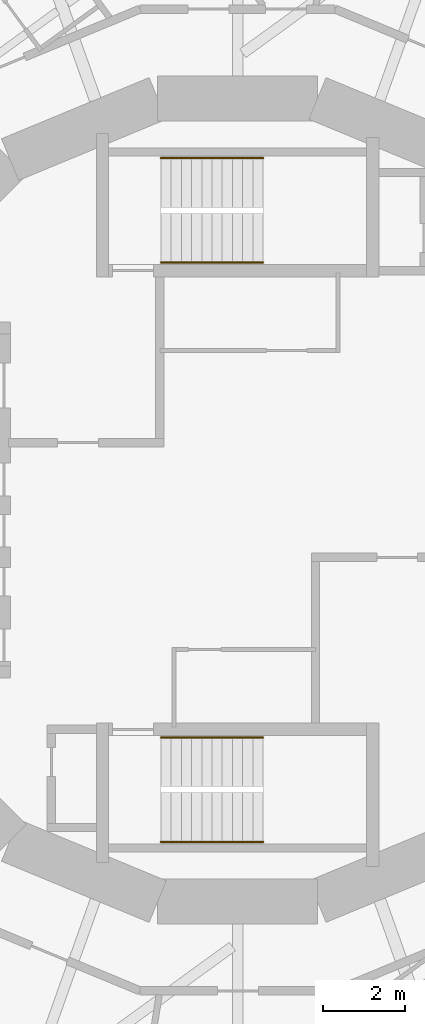
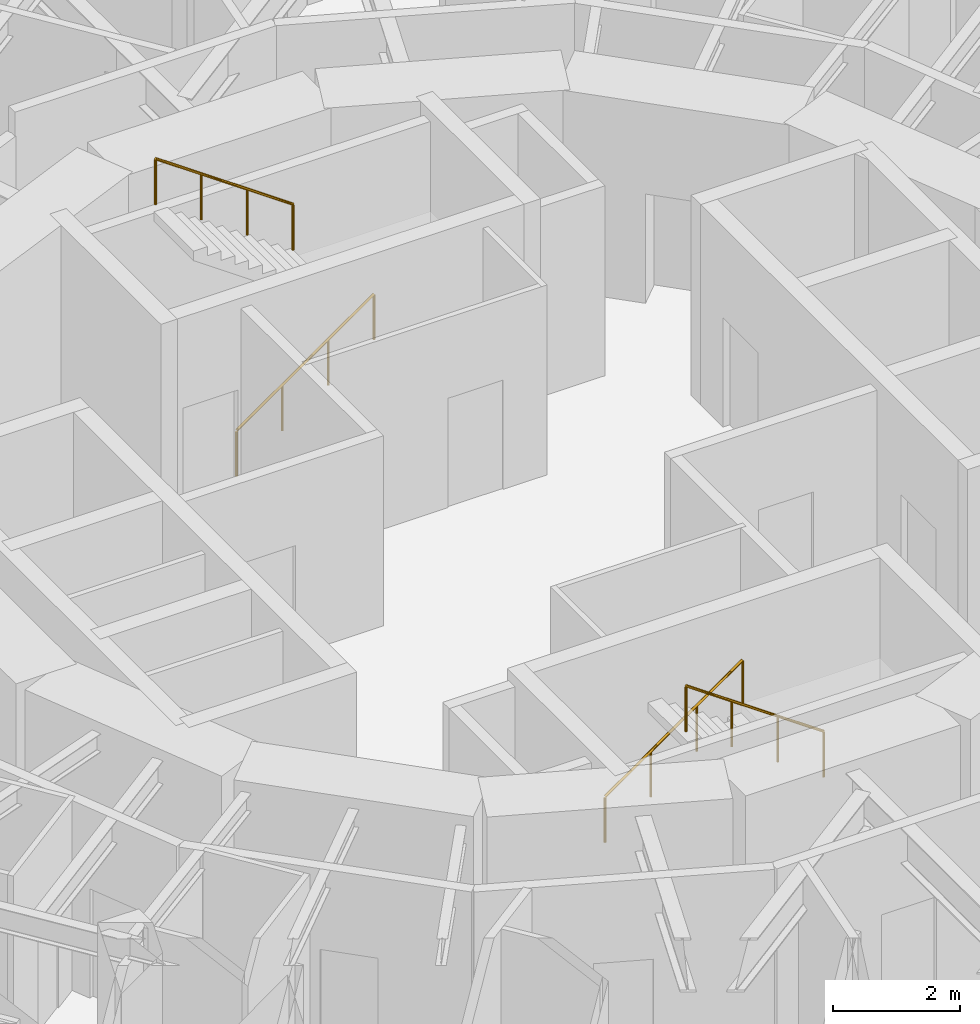
# One storey, part 9 of 9: 4 railings.
"""IFC4 building model written with IfcOpenShell, lengths in metres."""

from ifc_helpers import new_model, si_unit, direction, frame, origin, origin_2d, place, context, subcontext, project, spatial, circle, extrude, material, type_object, element, save


model = new_model("IFC4")

# Units and contexts
model_context = context("Model", 3, precision=1e-05, world=origin(), true_north=direction((0.0, 1.0)))
body_context = subcontext(model_context, "Body", "Model", "MODEL_VIEW")
ifc_project = project(units=[si_unit("LENGTHUNIT", "METRE"), si_unit("AREAUNIT", "SQUARE_METRE"), si_unit("VOLUMEUNIT", "CUBIC_METRE"), si_unit("PLANEANGLEUNIT", "RADIAN"), si_unit("MASSUNIT", "GRAM", prefix="KILO")], contexts=[model_context])

# Site, building, storey
site_placement = place(None, origin())
site = spatial("IfcSite", under=ifc_project, at=site_placement, CompositionType="ELEMENT")
building_placement = place(site_placement, origin())
building = spatial("IfcBuilding", under=site, at=building_placement, Name="Nakasero Lantern House", CompositionType="ELEMENT")
storey_placement = place(building_placement, frame((0.0, 0.0, 275.300048828125)))
storey = spatial("IfcBuildingStorey", under=building, at=storey_placement, Name="L67", CompositionType="ELEMENT", Elevation=275.300048828125)

# Railings
ifc_material = material(Name="Stainless steel 316", Category="steel")
railing_type = type_object("IfcRailingType", Name="Stair handrail 900", PredefinedType="HANDRAIL", material=ifc_material)
railing_1_placement = place(storey_placement, frame((-1.875, 5.800048828125, 0.175048828125)))
element("IfcRailing", 1, at=railing_1_placement, inside=storey, type_object=railing_type, Name="Handrail ST1 L67 flight 1", PredefinedType="HANDRAIL", context=body_context, shape_type="SweptSolid", body=[
    extrude(circle(Radius=0.02392578125, at=origin_2d()), frame((0.0, 0.0, 0.8759765625), z_axis=(0.819231920519, 0.0, 0.573462344363), x_axis=(0.0, 1.0, 0.0)), (0.0, 0.0, 1.0), 3.0517578125),
    extrude(circle(Radius=0.02099609375, at=origin_2d()), origin(), (0.0, 0.0, 1.0), 0.851806640625),
    extrude(circle(Radius=0.02099609375, at=origin_2d()), frame((0.833251953125, 0.0, 0.583251953125)), (0.0, 0.0, 1.0), 0.851806640625),
    extrude(circle(Radius=0.02099609375, at=origin_2d()), frame((1.666748046875, 0.0, 1.166748046875)), (0.0, 0.0, 1.0), 0.851806640625),
    extrude(circle(Radius=0.02099609375, at=origin_2d()), frame((2.5, 0.0, 1.75)), (0.0, 0.0, 1.0), 0.851806640625),
])
railing_2_placement = place(storey_placement, frame((0.625, 8.35009765625, 2.099853515625)))
element("IfcRailing", 2, at=railing_2_placement, inside=storey, type_object=railing_type, Name="Handrail ST1 L67 flight 2", PredefinedType="HANDRAIL", context=body_context, shape_type="SweptSolid", body=[
    extrude(circle(Radius=0.02392578125, at=origin_2d()), frame((0.0, 0.0, 0.8759765625), z_axis=(-0.819231920519, 0.0, 0.573462344363), x_axis=(0.0, -1.0, 0.0)), (0.0, 0.0, 1.0), 3.0517578125),
    extrude(circle(Radius=0.02099609375, at=origin_2d()), origin(), (0.0, 0.0, 1.0), 0.851806640625),
    extrude(circle(Radius=0.02099609375, at=origin_2d()), frame((-0.833251953125, 0.0, 0.583251953125)), (0.0, 0.0, 1.0), 0.851806640625),
    extrude(circle(Radius=0.02099609375, at=origin_2d()), frame((-1.666748046875, 0.0, 1.166748046875)), (0.0, 0.0, 1.0), 0.851806640625),
    extrude(circle(Radius=0.02099609375, at=origin_2d()), frame((-2.5, 0.0, 1.75)), (0.0, 0.0, 1.0), 0.851806640625),
])
railing_3_placement = place(storey_placement, frame((-1.875, -5.800048828125, 0.175048828125)))
element("IfcRailing", 3, at=railing_3_placement, inside=storey, type_object=railing_type, Name="Handrail ST2 L67 flight 1", PredefinedType="HANDRAIL", context=body_context, shape_type="SweptSolid", body=[
    extrude(circle(Radius=0.02392578125, at=origin_2d()), frame((0.0, 0.0, 0.8759765625), z_axis=(0.819231920519, 0.0, 0.573462344363), x_axis=(0.0, 1.0, 0.0)), (0.0, 0.0, 1.0), 3.0517578125),
    extrude(circle(Radius=0.02099609375, at=origin_2d()), origin(), (0.0, 0.0, 1.0), 0.851806640625),
    extrude(circle(Radius=0.02099609375, at=origin_2d()), frame((0.833251953125, 0.0, 0.583251953125)), (0.0, 0.0, 1.0), 0.851806640625),
    extrude(circle(Radius=0.02099609375, at=origin_2d()), frame((1.666748046875, 0.0, 1.166748046875)), (0.0, 0.0, 1.0), 0.851806640625),
    extrude(circle(Radius=0.02099609375, at=origin_2d()), frame((2.5, 0.0, 1.75)), (0.0, 0.0, 1.0), 0.851806640625),
])
railing_4_placement = place(storey_placement, frame((0.625, -8.35009765625, 2.099853515625)))
element("IfcRailing", 4, at=railing_4_placement, inside=storey, type_object=railing_type, Name="Handrail ST2 L67 flight 2", PredefinedType="HANDRAIL", context=body_context, shape_type="SweptSolid", body=[
    extrude(circle(Radius=0.02392578125, at=origin_2d()), frame((0.0, 0.0, 0.8759765625), z_axis=(-0.819231920519, 0.0, 0.573462344363), x_axis=(0.0, -1.0, 0.0)), (0.0, 0.0, 1.0), 3.0517578125),
    extrude(circle(Radius=0.02099609375, at=origin_2d()), origin(), (0.0, 0.0, 1.0), 0.851806640625),
    extrude(circle(Radius=0.02099609375, at=origin_2d()), frame((-0.833251953125, 0.0, 0.583251953125)), (0.0, 0.0, 1.0), 0.851806640625),
    extrude(circle(Radius=0.02099609375, at=origin_2d()), frame((-1.666748046875, 0.0, 1.166748046875)), (0.0, 0.0, 1.0), 0.851806640625),
    extrude(circle(Radius=0.02099609375, at=origin_2d()), frame((-2.5, 0.0, 1.75)), (0.0, 0.0, 1.0), 0.851806640625),
])

save(model, "model.ifc")
